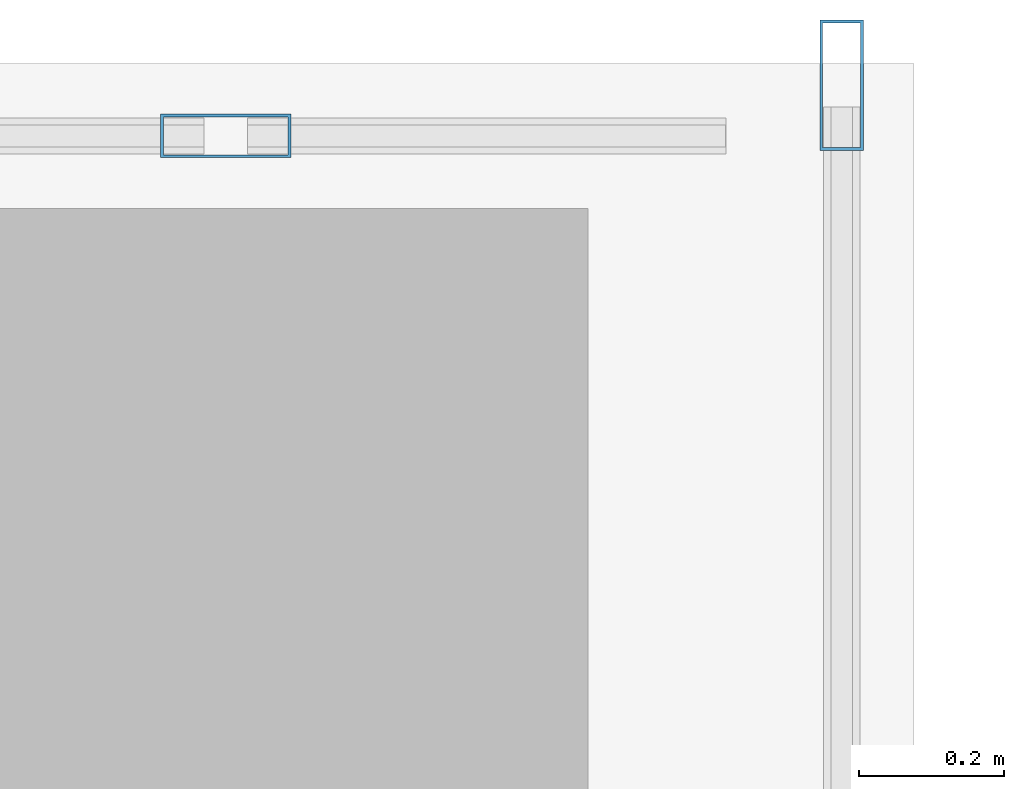
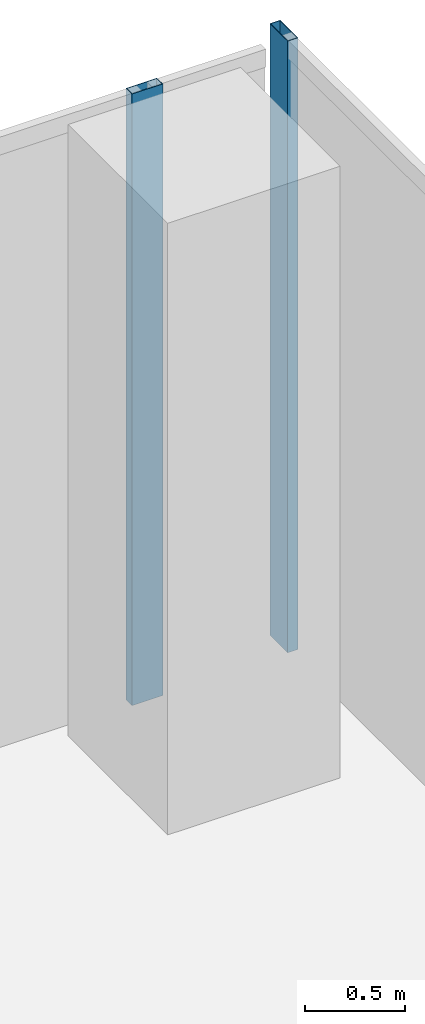
# One storey, part 25 of 38: 2 members, 2 elements without a shape of their own.
"""IFC4 building model written with IfcOpenShell, lengths in metres."""

from ifc_helpers import new_model, si_unit, direction, frame, origin, origin_2d, place, context, subcontext, project, spatial, hollow_rectangle, extrude, source, transform, mapped, material, material_profile, profile_set, type_object, element, aggregate, save


model = new_model("IFC4")

# Units and contexts
model_context = context("Model", 3, precision=1e-05, world=origin(), true_north=direction((0.0, 1.0)))
body_context = subcontext(model_context, "Body", "Model", "MODEL_VIEW")
ifc_project = project(units=[si_unit("LENGTHUNIT", "METRE"), si_unit("AREAUNIT", "SQUARE_METRE"), si_unit("VOLUMEUNIT", "CUBIC_METRE"), si_unit("PLANEANGLEUNIT", "RADIAN"), si_unit("MASSUNIT", "GRAM", prefix="KILO")], contexts=[model_context])

# Site, building, storey
site_placement = place(None, origin())
site = spatial("IfcSite", under=ifc_project, at=site_placement, CompositionType="ELEMENT")
building_placement = place(site_placement, origin())
building = spatial("IfcBuilding", under=site, at=building_placement, Name="Khomas Fold Tower", CompositionType="ELEMENT")
storey_placement = place(building_placement, frame((0.0, 0.0, 196.699951171875)))
storey = spatial("IfcBuildingStorey", under=building, at=storey_placement, Name="L43", CompositionType="ELEMENT", Elevation=196.699951171875)

# Curtain wall, member
ifc_material_1 = material(Name="Aluminium framed double glazing", Category="aluminium")
curtain_wall_type = type_object("IfcCurtainWallType", Name="SK-Unitised clear-glass wall, office floors CW2", PredefinedType="NOTDEFINED", material=ifc_material_1)
curtain_wall_1_placement = place(storey_placement, origin())
curtain_wall_1 = element("IfcCurtainWall", 1, at=curtain_wall_1_placement, inside=storey, type_object=curtain_wall_type, Name="CW2 corner return L43 05", PredefinedType="NOTDEFINED")
ifc_material_2 = material(Name="Aluminium", Category="aluminium")
ifc_material_profile = material_profile(ifc_material_2, hollow_rectangle(XDim=0.06005859375, YDim=0.179931640625, WallThickness=0.00390625, at=origin_2d()), Name="SK-Unitised clear-glass wall, office floors mullion CW2-M")
ifc_profile_set = profile_set([ifc_material_profile], Name="Aluminium")
member_type = type_object("IfcMemberType", Name="SK-Unitised clear-glass wall, office floors mullion CW2-M", PredefinedType="MULLION", material=ifc_profile_set)
shared_shape = source(origin(), body_context, "Body", "SweptSolid", [
    extrude(hollow_rectangle(XDim=0.06005859375, YDim=0.179931640625, WallThickness=0.00390625, at=origin_2d()), origin(), (0.0, 0.0, 1.0), 3.75),
])
member_1_placement = place(storey_placement, frame((46.39990234375, 50.969970703125, 0.0), z_axis=(0.0, 0.0, 1.0), x_axis=(-1.0, 0.0, 0.0)))
member_1 = element("IfcMember", 2, at=member_1_placement, type_object=member_type, Name="CW2 mullion 2", PredefinedType="MULLION", context=body_context, shape_type="MappedRepresentation", body=[
    mapped(shared_shape, transform((0.0, 0.0, 0.0))),
])
aggregate(curtain_wall_1, [member_1])

curtain_wall_2_placement = place(storey_placement, origin())
curtain_wall_2 = element("IfcCurtainWall", 3, at=curtain_wall_2_placement, inside=storey, type_object=curtain_wall_type, Name="CW2 run L43 06-0", PredefinedType="NOTDEFINED")
member_2_placement = place(storey_placement, frame((45.550048828125, 50.89990234375, 0.0), z_axis=(0.0, 0.0, 1.0), x_axis=(0.0, -1.0, 0.0)))
member_2 = element("IfcMember", 4, at=member_2_placement, type_object=member_type, Name="CW2 mullion 2", PredefinedType="MULLION", context=body_context, shape_type="MappedRepresentation", body=[
    mapped(shared_shape, transform((0.0, 0.0, 0.0))),
])
aggregate(curtain_wall_2, [member_2])

save(model, "model.ifc")
